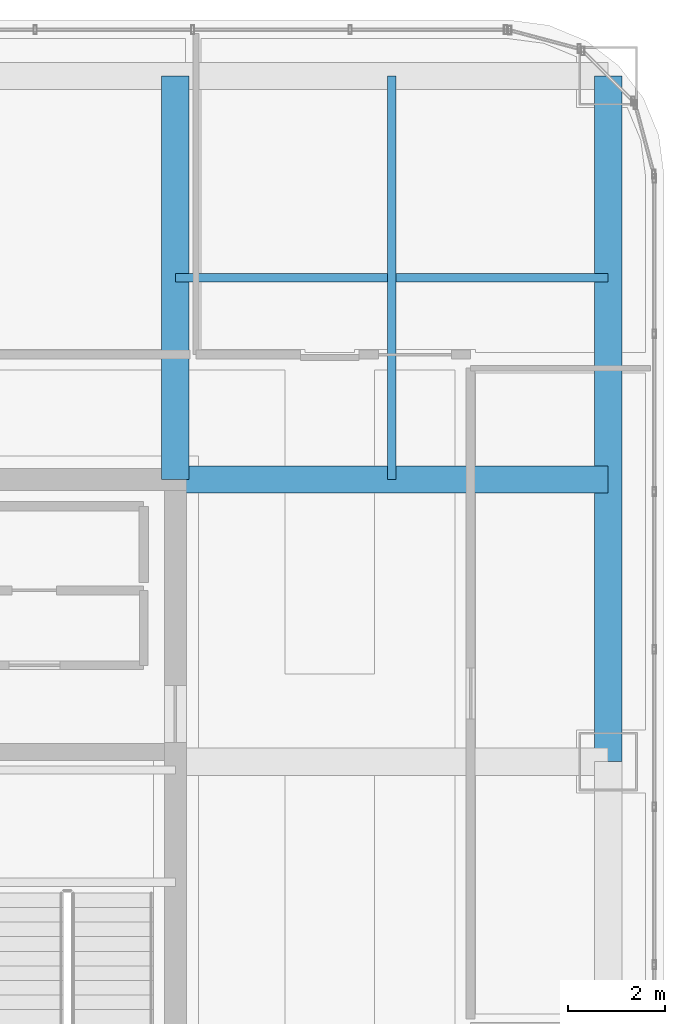
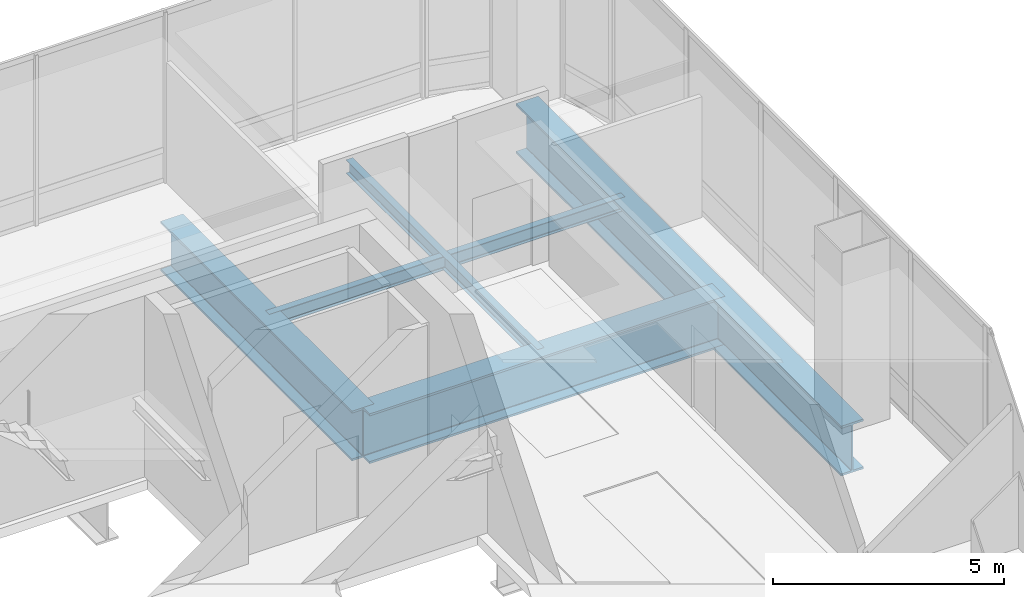
# One storey, part 30 of 45: 5 beams.
"""IFC4 building model written with IfcOpenShell, lengths in metres."""

from ifc_helpers import new_model, si_unit, direction, frame, origin, origin_2d, place, context, subcontext, project, spatial, i_section, extrude, material, material_profile, profile_set, type_object, element, save


model = new_model("IFC4")

# Units and contexts
model_context = context("Model", 3, precision=1e-05, world=origin(), true_north=direction((0.0, 1.0)))
body_context = subcontext(model_context, "Body", "Model", "MODEL_VIEW")
ifc_project = project(units=[si_unit("LENGTHUNIT", "METRE"), si_unit("AREAUNIT", "SQUARE_METRE"), si_unit("VOLUMEUNIT", "CUBIC_METRE"), si_unit("PLANEANGLEUNIT", "RADIAN"), si_unit("MASSUNIT", "GRAM", prefix="KILO")], contexts=[model_context])

# Site, building, storey
site_placement = place(None, origin())
site = spatial("IfcSite", under=ifc_project, at=site_placement, CompositionType="ELEMENT")
building_placement = place(site_placement, origin())
building = spatial("IfcBuilding", under=site, at=building_placement, Name="Punatoya Terracotta Tower", CompositionType="ELEMENT")
storey_placement = place(building_placement, frame((0.0, 0.0, 339.0)))
storey = spatial("IfcBuildingStorey", under=building, at=storey_placement, Name="L80", CompositionType="ELEMENT", Elevation=339.0)

# Beams
ifc_material_1 = material(Name="Steel S355", Category="steel")
ifc_material_profile_1 = material_profile(ifc_material_1, i_section(OverallWidth=0.169921875, OverallDepth=0.360107421875, WebThickness=0.008056640625, FlangeThickness=0.0126953125, FilletRadius=0.01806640625, at=origin_2d()))
ifc_profile_set_1 = profile_set([ifc_material_profile_1], Name="Steel S355")
beam_type_1 = type_object("IfcBeamType", Name="BM-SEC-360", PredefinedType="JOIST", material=ifc_profile_set_1)
beam_1_placement = place(storey_placement, frame((10.199951171875, 13.35009765625, -0.43994140625), z_axis=(1.0, 0.0, 0.0), x_axis=(0.0, 1.0, 0.0)))
element("IfcBeam", 1, at=beam_1_placement, inside=storey, type_object=beam_type_1, Name="BM-L80-SJN-2", PredefinedType="JOIST", context=body_context, shape_type="SweptSolid", body=[
    extrude(i_section(OverallWidth=0.169921875, OverallDepth=0.360107421875, WebThickness=0.008056640625, FlangeThickness=0.0126953125, FilletRadius=0.01806640625, at=origin_2d()), origin(), (0.0, 0.0, 1.0), 8.900146484375),
])
beam_2_placement = place(storey_placement, frame((14.64990234375, 9.199951171875, -0.43994140625), z_axis=(0.0, 1.0, 0.0), x_axis=(-1.0, 0.0, 0.0)))
element("IfcBeam", 2, at=beam_2_placement, inside=storey, type_object=beam_type_1, Name="BM-L80-SJE-2", PredefinedType="JOIST", context=body_context, shape_type="SweptSolid", body=[
    extrude(i_section(OverallWidth=0.169921875, OverallDepth=0.360107421875, WebThickness=0.008056640625, FlangeThickness=0.0126953125, FilletRadius=0.01806640625, at=origin_2d()), origin(), (0.0, 0.0, 1.0), 8.300048828125),
])
ifc_material_2 = material(Name="Steel S460", Category="steel")
ifc_material_profile_2 = material_profile(ifc_material_2, i_section(OverallWidth=0.56005859375, OverallDepth=1.320068359375, WebThickness=0.035888671875, FlangeThickness=0.054931640625, FilletRadius=0.01806640625, at=origin_2d()))
ifc_profile_set_2 = profile_set([ifc_material_profile_2], Name="Steel S460")
beam_type_2 = type_object("IfcBeamType", Name="BM-TG-BLK", PredefinedType="BEAM", material=ifc_profile_set_2)
beam_3_placement = place(storey_placement, frame((19.10009765625, 3.39990234375, -0.919921875), z_axis=(0.0, 1.0, 0.0), x_axis=(-1.0, 0.0, 0.0)))
element("IfcBeam", 3, at=beam_3_placement, inside=storey, type_object=beam_type_2, Name="BM-L80-RG-E3", PredefinedType="BEAM", context=body_context, shape_type="SweptSolid", body=[
    extrude(i_section(OverallWidth=0.56005859375, OverallDepth=1.320068359375, WebThickness=0.035888671875, FlangeThickness=0.054931640625, FilletRadius=0.01806640625, at=origin_2d()), origin(), (0.0, 0.0, 1.0), 14.10009765625),
])
beam_4_placement = place(storey_placement, frame((10.199951171875, 9.199951171875, -0.919921875), z_axis=(1.0, 0.0, 0.0), x_axis=(0.0, 1.0, 0.0)))
element("IfcBeam", 4, at=beam_4_placement, inside=storey, type_object=beam_type_2, Name="BM-L80-PR-EN", PredefinedType="BEAM", context=body_context, shape_type="SweptSolid", body=[
    extrude(i_section(OverallWidth=0.56005859375, OverallDepth=1.320068359375, WebThickness=0.035888671875, FlangeThickness=0.054931640625, FilletRadius=0.01806640625, at=origin_2d()), origin(), (0.0, 0.0, 1.0), 8.900146484375),
])
beam_5_placement = place(storey_placement, frame((10.199951171875, 9.199951171875, -0.919921875), z_axis=(0.0, 1.0, 0.0), x_axis=(-1.0, 0.0, 0.0)))
element("IfcBeam", 5, at=beam_5_placement, inside=storey, type_object=beam_type_2, Name="BM-L80-PR-N4", PredefinedType="BEAM", context=body_context, shape_type="SweptSolid", body=[
    extrude(i_section(OverallWidth=0.56005859375, OverallDepth=1.320068359375, WebThickness=0.035888671875, FlangeThickness=0.054931640625, FilletRadius=0.01806640625, at=origin_2d()), origin(), (0.0, 0.0, 1.0), 8.300048828125),
])

save(model, "model.ifc")
